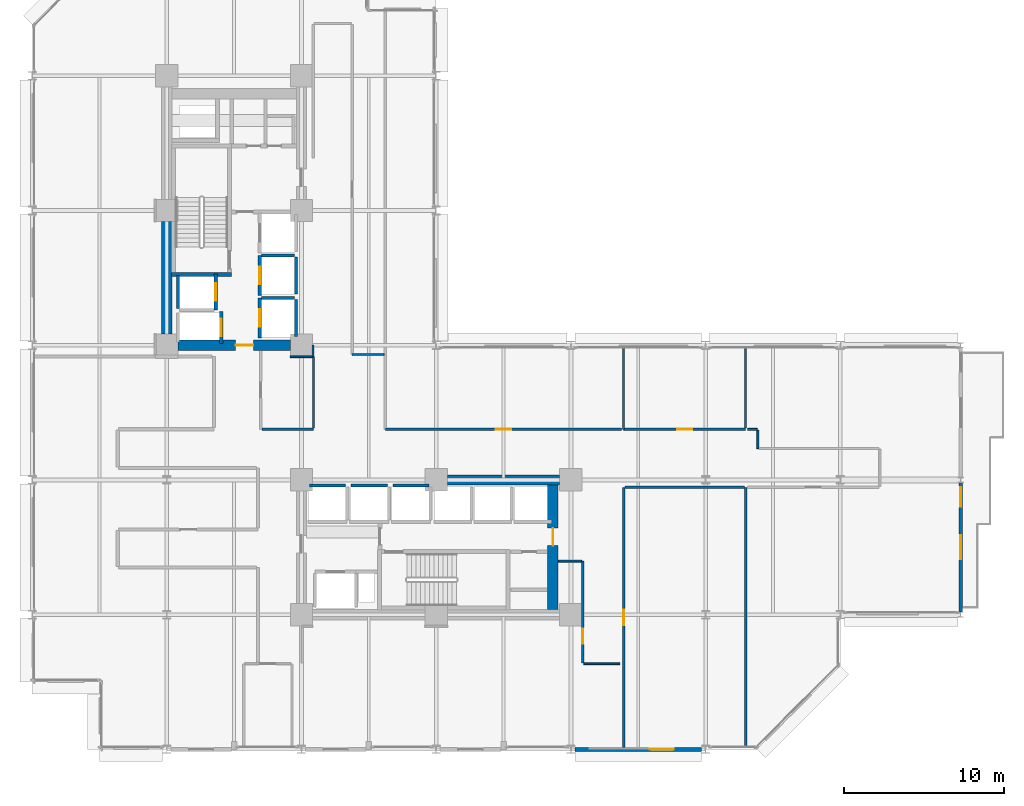
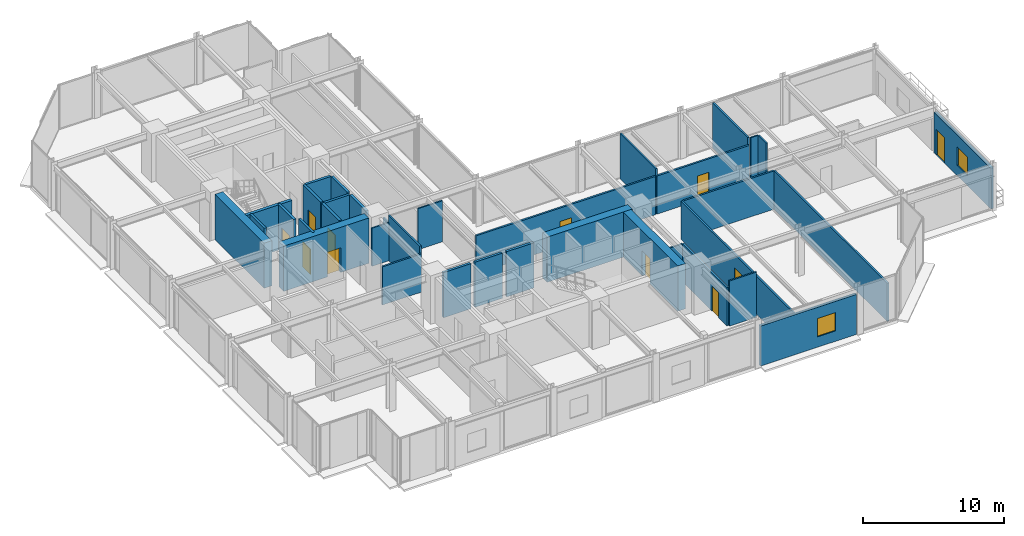
# One storey, part 23 of 27: 36 walls, 11 doors, 2 windows, 13 openings.
"""IFC4 building model written with IfcOpenShell, lengths in metres."""

from ifc_helpers import new_model, si_unit, direction, frame, frame_2d, origin, place, context, subcontext, project, spatial, rectangle, extrude, material, layer, layer_set, type_object, element, fill, save


model = new_model("IFC4")

# Units and contexts
model_context = context("Model", 3, precision=1e-05, world=origin(), true_north=direction((0.0, 1.0)))
body_context = subcontext(model_context, "Body", "Model", "MODEL_VIEW")
ifc_project = project(units=[si_unit("LENGTHUNIT", "METRE"), si_unit("AREAUNIT", "SQUARE_METRE"), si_unit("VOLUMEUNIT", "CUBIC_METRE"), si_unit("PLANEANGLEUNIT", "RADIAN"), si_unit("MASSUNIT", "GRAM", prefix="KILO")], contexts=[model_context])

# Site, building, storey
site_placement = place(None, origin())
site = spatial("IfcSite", under=ifc_project, at=site_placement, CompositionType="ELEMENT")
building_placement = place(site_placement, origin())
building = spatial("IfcBuilding", under=site, at=building_placement, Name="Nerrivon Quay Data Exchange", CompositionType="ELEMENT")
storey_placement = place(building_placement, frame((0.0, 0.0, 66.800048828125)))
storey = spatial("IfcBuildingStorey", under=building, at=storey_placement, Name="L15", CompositionType="ELEMENT", Elevation=66.800048828125)

# Wall, openings, door, window
ifc_material_1 = material(Name="Architectural terracotta precast concrete N50 (50 MPa)", Category="masonry")
ifc_layer_1 = layer(ifc_material_1, 0.239990234375)
ifc_layer_set_1 = layer_set([ifc_layer_1], Name="Architectural terracotta precast concrete N50 (50 MPa)")
wall_type_1 = type_object("IfcWallType", Name="EW-PREC-240", PredefinedType="STANDARD", material=ifc_layer_set_1)
wall_1_placement = place(storey_placement, frame((57.89990234375, 16.636474609375, 0.0), z_axis=(0.0, 0.0, 1.0), x_axis=(0.0, -1.0, 0.0)))
wall_1 = element("IfcWall", 1, at=wall_1_placement, inside=storey, type_object=wall_type_1, Name="L15 Terrace Host Wall 2", PredefinedType="STANDARD", context=body_context, shape_type="SweptSolid", body=[
    extrude(rectangle(XDim=8.072998046875, YDim=0.239990234375, at=frame_2d((4.03662109375, 0.0))), origin(), (0.0, 0.0, 1.0), 3.52197265625),
])
opening_1_placement = place(wall_1_placement, frame((0.300048828125, 0.0, 0.0)))
opening_1 = element("IfcOpeningElement", 2, at=opening_1_placement, cuts=wall_1, Name="Opening TD1", PredefinedType="OPENING", context=body_context, shape_type="SweptSolid", body=[
    extrude(rectangle(XDim=1.199951171875, YDim=2.199951171875, at=frame_2d((0.60009765625, 1.10009765625))), frame((0.0, 0.1298828125, 0.0), z_axis=(0.0, -1.0, 0.0), x_axis=(1.0, 0.0, 0.0)), (0.0, 0.0, 1.0), 0.260009765625),
])
opening_2_placement = place(wall_1_placement, frame((3.28662109375, 0.0, 0.89990234375)))
opening_2 = element("IfcOpeningElement", 3, at=opening_2_placement, cuts=wall_1, Name="Opening WN4", PredefinedType="OPENING", context=body_context, shape_type="SweptSolid", body=[
    extrude(rectangle(XDim=1.5, YDim=1.60009765625, at=frame_2d((0.75, 0.800048828125))), frame((0.0, 0.1298828125, 0.0), z_axis=(0.0, -1.0, 0.0), x_axis=(1.0, 0.0, 0.0)), (0.0, 0.0, 1.0), 0.260009765625),
])
ifc_material_2 = material(Name="Double-glazed low-E solar control glass", Category="glass")
door_type_1 = type_object("IfcDoorType", Name="DR-TERR-1200x2200", OperationType="NOTDEFINED", PredefinedType="DOOR", material=ifc_material_2)
door_1_placement = place(opening_1_placement, origin())
door_1 = element("IfcDoor", 4, at=door_1_placement, inside=storey, type_object=door_type_1, Name="L15 Outdoor Terrace Access Door 2", OperationType="SINGLE_SWING_LEFT", OverallHeight=2.199951171875, OverallWidth=1.199951171875, PredefinedType="DOOR", context=body_context, shape_type="SweptSolid", body=[
    extrude(rectangle(XDim=1.199951171875, YDim=2.199951171875, at=frame_2d((0.60009765625, 1.10009765625))), frame((0.0, 0.02490234375, 0.0), z_axis=(0.0, -1.0, 0.0), x_axis=(1.0, 0.0, 0.0)), (0.0, 0.0, 1.0), 0.050048828125),
])
fill(opening_1, door_1)
window_type = type_object("IfcWindowType", Name="WIN-W4-1500x1600", PartitioningType="SINGLE_PANEL", PredefinedType="WINDOW", material=ifc_material_2)
window_1_placement = place(opening_2_placement, origin())
window_1 = element("IfcWindow", 5, at=window_1_placement, inside=storey, type_object=window_type, Name="L15 Terrace Side Window 2", OverallHeight=1.60009765625, OverallWidth=1.5, PartitioningType="SINGLE_PANEL", PredefinedType="WINDOW", context=body_context, shape_type="SweptSolid", body=[
    extrude(rectangle(XDim=1.5, YDim=1.60009765625, at=frame_2d((0.75, 0.800048828125))), frame((0.0, 0.030029296875, 0.0), z_axis=(0.0, -1.0, 0.0), x_axis=(1.0, 0.0, 0.0)), (0.0, 0.0, 1.0), 0.06005859375),
])
fill(opening_2, window_1)

# Wall, opening, window
wall_2_placement = place(storey_placement, frame((41.75, 0.0, 0.0), z_axis=(0.0, 0.0, 1.0), x_axis=(-1.0, 0.0, 0.0)))
wall_2 = element("IfcWall", 6, at=wall_2_placement, inside=storey, type_object=wall_type_1, Name="L15 Podium Precast Spandrel Wall 7", PredefinedType="STANDARD", context=body_context, shape_type="SweptSolid", body=[
    extrude(rectangle(XDim=7.89990234375, YDim=0.239990234375, at=frame_2d((3.949951171875, 0.0))), origin(), (0.0, 0.0, 1.0), 3.470947265625),
])
opening_3_placement = place(wall_2_placement, frame((1.726806640625, 0.0, 0.89990234375)))
opening_3 = element("IfcOpeningElement", 7, at=opening_3_placement, cuts=wall_2, Name="Opening WN4", PredefinedType="OPENING", context=body_context, shape_type="SweptSolid", body=[
    extrude(rectangle(XDim=1.5, YDim=1.60009765625, at=frame_2d((0.75, 0.800048828125))), frame((0.0, 0.1298828125, 0.0), z_axis=(0.0, -1.0, 0.0), x_axis=(1.0, 0.0, 0.0)), (0.0, 0.0, 1.0), 0.260009765625),
])
window_2_placement = place(opening_3_placement, origin())
window_2 = element("IfcWindow", 8, at=window_2_placement, inside=storey, type_object=window_type, Name="L15 Solar Facade Window 7", OverallHeight=1.60009765625, OverallWidth=1.5, PartitioningType="SINGLE_PANEL", PredefinedType="WINDOW", context=body_context, shape_type="SweptSolid", body=[
    extrude(rectangle(XDim=1.5, YDim=1.60009765625, at=frame_2d((0.75, 0.800048828125))), frame((0.0, 0.030029296875, 0.0), z_axis=(0.0, -1.0, 0.0), x_axis=(1.0, 0.0, 0.0)), (0.0, 0.0, 1.0), 0.06005859375),
])
fill(opening_3, window_2)

# Wall
ifc_material_3 = material(Name="Concrete N80 (80 MPa)", Category="concrete")
ifc_layer_2 = layer(ifc_material_3, 0.64990234375)
ifc_layer_set_2 = layer_set([ifc_layer_2], Name="Concrete N80 (80 MPa)")
wall_type_2 = type_object("IfcWallType", Name="WALL-CW-850", PredefinedType="SHEAR", material=ifc_layer_set_2)
wall_3_placement = place(storey_placement, frame((8.39990234375, 25.89990234375, 0.0), z_axis=(0.0, 0.0, 1.0), x_axis=(0.0, 1.0, 0.0)))
element("IfcWall", 9, at=wall_3_placement, inside=storey, type_object=wall_type_2, Name="L15 West Split-Core Shear Wall WCW-W1", PredefinedType="SHEAR", context=body_context, shape_type="SweptSolid", body=[
    extrude(rectangle(XDim=7.0, YDim=0.64990234375, at=frame_2d((3.5, 0.0))), origin(), (0.0, 0.0, 1.0), 3.925048828125),
])

# Wall, opening, door
wall_4_placement = place(storey_placement, frame((9.10009765625, 25.199951171875, 0.0), z_axis=(0.0, 0.0, 1.0), x_axis=(1.0, 0.0, 0.0)))
wall_4 = element("IfcWall", 10, at=wall_4_placement, inside=storey, type_object=wall_type_2, Name="L15 West Split-Core Shear Wall WCW-S1", PredefinedType="SHEAR", context=body_context, shape_type="SweptSolid", body=[
    extrude(rectangle(XDim=7.0, YDim=0.64990234375, at=frame_2d((3.5, 0.0))), origin(), (0.0, 0.0, 1.0), 3.925048828125),
])
opening_4_placement = place(wall_4_placement, frame((3.60009765625, 0.0, 0.0)))
opening_4 = element("IfcOpeningElement", 11, at=opening_4_placement, cuts=wall_4, Name="Opening FD-120", PredefinedType="OPENING", context=body_context, shape_type="SweptSolid", body=[
    extrude(rectangle(XDim=1.10009765625, YDim=2.14990234375, at=frame_2d((0.550048828125, 1.074951171875))), frame((0.0, 0.3349609375, 0.0), z_axis=(0.0, -1.0, 0.0), x_axis=(1.0, 0.0, 0.0)), (0.0, 0.0, 1.0), 0.669921875),
])
ifc_material_4 = material(Name="Powder-coated galvanized steel sheet", Category="steel")
door_type_2 = type_object("IfcDoorType", Name="DR-FD120-1100", OperationType="NOTDEFINED", PredefinedType="DOOR", material=ifc_material_4)
door_2_placement = place(opening_4_placement, origin())
door_2 = element("IfcDoor", 12, at=door_2_placement, inside=storey, type_object=door_type_2, Name="L15 West Core Lobby Fire Door", OperationType="SINGLE_SWING_LEFT", OverallHeight=2.14990234375, OverallWidth=1.10009765625, PredefinedType="DOOR", context=body_context, shape_type="SweptSolid", body=[
    extrude(rectangle(XDim=1.10009765625, YDim=2.14990234375, at=frame_2d((0.550048828125, 1.074951171875))), frame((0.0, 0.02490234375, 0.0), z_axis=(0.0, -1.0, 0.0), x_axis=(1.0, 0.0, 0.0)), (0.0, 0.0, 1.0), 0.050048828125),
])
fill(opening_4, door_2)

wall_5_placement = place(storey_placement, frame((32.47509765625, 8.72509765625, 0.0), z_axis=(0.0, 0.0, 1.0), x_axis=(0.0, 1.0, 0.0)))
wall_5 = element("IfcWall", 13, at=wall_5_placement, inside=storey, type_object=wall_type_2, Name="L15 East Split-Core Shear Wall ECW-E1", PredefinedType="SHEAR", context=body_context, shape_type="SweptSolid", body=[
    extrude(rectangle(XDim=7.75, YDim=0.64990234375, at=frame_2d((3.875, 0.0))), origin(), (0.0, 0.0, 1.0), 3.925048828125),
])
opening_5_placement = place(wall_5_placement, frame((3.97509765625, 0.0, 0.0)))
opening_5 = element("IfcOpeningElement", 14, at=opening_5_placement, cuts=wall_5, Name="Opening FD-120", PredefinedType="OPENING", context=body_context, shape_type="SweptSolid", body=[
    extrude(rectangle(XDim=1.10009765625, YDim=2.14990234375, at=frame_2d((0.550048828125, 1.074951171875))), frame((0.0, 0.3349609375, 0.0), z_axis=(0.0, -1.0, 0.0), x_axis=(1.0, 0.0, 0.0)), (0.0, 0.0, 1.0), 0.669921875),
])
door_3_placement = place(opening_5_placement, origin())
door_3 = element("IfcDoor", 15, at=door_3_placement, inside=storey, type_object=door_type_2, Name="L15 East Core Lobby Fire Door", OperationType="SINGLE_SWING_RIGHT", OverallHeight=2.14990234375, OverallWidth=1.10009765625, PredefinedType="DOOR", context=body_context, shape_type="SweptSolid", body=[
    extrude(rectangle(XDim=1.10009765625, YDim=2.14990234375, at=frame_2d((0.550048828125, 1.074951171875))), frame((0.0, 0.02490234375, 0.0), z_axis=(0.0, -1.0, 0.0), x_axis=(1.0, 0.0, 0.0)), (0.0, 0.0, 1.0), 0.050048828125),
])
fill(opening_5, door_3)

# Wall
wall_6_placement = place(storey_placement, frame((25.89990234375, 16.800048828125, 0.0), z_axis=(0.0, 0.0, 1.0), x_axis=(1.0, 0.0, 0.0)))
element("IfcWall", 16, at=wall_6_placement, inside=storey, type_object=wall_type_2, Name="L15 East Split-Core Shear Wall ECW-N1", PredefinedType="SHEAR", context=body_context, shape_type="SweptSolid", body=[
    extrude(rectangle(XDim=7.0, YDim=0.64990234375, at=frame_2d((3.5, 0.0))), origin(), (0.0, 0.0, 1.0), 3.925048828125),
])

# Wall, opening, door
ifc_material_5 = material(Name="Gypsum plasterboard on cold-formed framing", Category="gypsum")
ifc_layer_3 = layer(ifc_material_5, 0.199951171875)
ifc_layer_set_3 = layer_set([ifc_layer_3], Name="Gypsum plasterboard on cold-formed framing")
wall_type_3 = type_object("IfcWallType", Name="WALL-FW-200", PredefinedType="PARTITIONING", material=ifc_layer_set_3)
wall_7_placement = place(storey_placement, frame((11.449951171875, 27.39990234375, 0.0), z_axis=(0.0, 0.0, 1.0), x_axis=(0.0, 1.0, 0.0)))
wall_7 = element("IfcWall", 17, at=wall_7_placement, inside=storey, type_object=wall_type_3, Name="L15 Lift Front Wall FFL-1", PredefinedType="PARTITIONING", context=body_context, shape_type="SweptSolid", body=[
    extrude(rectangle(XDim=2.25, YDim=0.199951171875, at=frame_2d((1.125, 0.0))), origin(), (0.0, 0.0, 1.0), 3.925048828125),
])
opening_6_placement = place(wall_7_placement, frame((0.574951171875, 0.0, 0.0)))
opening_6 = element("IfcOpeningElement", 18, at=opening_6_placement, cuts=wall_7, Name="Opening LD-120", PredefinedType="OPENING", context=body_context, shape_type="SweptSolid", body=[
    extrude(rectangle(XDim=1.10009765625, YDim=2.199951171875, at=frame_2d((0.550048828125, 1.10009765625))), frame((0.0, 0.10986328125, 0.0), z_axis=(0.0, -1.0, 0.0), x_axis=(1.0, 0.0, 0.0)), (0.0, 0.0, 1.0), 0.219970703125),
])
door_type_3 = type_object("IfcDoorType", Name="DR-LIFT-LD120", OperationType="DOUBLE_DOOR_SLIDING", PredefinedType="DOOR", material=ifc_material_4)
door_4_placement = place(opening_6_placement, origin())
door_4 = element("IfcDoor", 19, at=door_4_placement, inside=storey, type_object=door_type_3, Name="L15 Lift Landing Sliding Door FFL-1", OperationType="DOUBLE_DOOR_SLIDING", OverallHeight=2.199951171875, OverallWidth=1.10009765625, PredefinedType="DOOR", context=body_context, shape_type="SweptSolid", body=[
    extrude(rectangle(XDim=1.10009765625, YDim=2.199951171875, at=frame_2d((0.550048828125, 1.10009765625))), frame((0.0, 0.02490234375, 0.0), z_axis=(0.0, -1.0, 0.0), x_axis=(1.0, 0.0, 0.0)), (0.0, 0.0, 1.0), 0.050048828125),
])
fill(opening_6, door_4)

# Wall
wall_8_placement = place(storey_placement, frame((9.10009765625, 27.5, 0.0), z_axis=(0.0, 0.0, 1.0), x_axis=(0.0, 1.0, 0.0)))
element("IfcWall", 20, at=wall_8_placement, inside=storey, type_object=wall_type_3, Name="L15 Lift Shaft Wall FFL-1 WEST", PredefinedType="PARTITIONING", context=body_context, shape_type="SweptSolid", body=[
    extrude(rectangle(XDim=2.050048828125, YDim=0.199951171875, at=frame_2d((1.02490234375, 0.0))), origin(), (0.0, 0.0, 1.0), 3.925048828125),
])

# Wall, opening, door
wall_9_placement = place(storey_placement, frame((11.800048828125, 25.300048828125, 0.0), z_axis=(0.0, 0.0, 1.0), x_axis=(0.0, 1.0, 0.0)))
wall_9 = element("IfcWall", 21, at=wall_9_placement, inside=storey, type_object=wall_type_3, Name="L15 Lift Front Wall SVL-1", PredefinedType="PARTITIONING", context=body_context, shape_type="SweptSolid", body=[
    extrude(rectangle(XDim=2.0, YDim=0.199951171875, at=frame_2d((1.0, 0.0))), origin(), (0.0, 0.0, 1.0), 3.925048828125),
])
opening_7_placement = place(wall_9_placement, frame((0.449951171875, 0.0, 0.0)))
opening_7 = element("IfcOpeningElement", 22, at=opening_7_placement, cuts=wall_9, Name="Opening LD-120", PredefinedType="OPENING", context=body_context, shape_type="SweptSolid", body=[
    extrude(rectangle(XDim=1.10009765625, YDim=2.199951171875, at=frame_2d((0.550048828125, 1.10009765625))), frame((0.0, 0.10986328125, 0.0), z_axis=(0.0, -1.0, 0.0), x_axis=(1.0, 0.0, 0.0)), (0.0, 0.0, 1.0), 0.219970703125),
])
door_5_placement = place(opening_7_placement, origin())
door_5 = element("IfcDoor", 23, at=door_5_placement, inside=storey, type_object=door_type_3, Name="L15 Lift Landing Sliding Door SVL-1", OperationType="DOUBLE_DOOR_SLIDING", OverallHeight=2.199951171875, OverallWidth=1.10009765625, PredefinedType="DOOR", context=body_context, shape_type="SweptSolid", body=[
    extrude(rectangle(XDim=1.10009765625, YDim=2.199951171875, at=frame_2d((0.550048828125, 1.10009765625))), frame((0.0, 0.02490234375, 0.0), z_axis=(0.0, -1.0, 0.0), x_axis=(1.0, 0.0, 0.0)), (0.0, 0.0, 1.0), 0.050048828125),
])
fill(opening_7, door_5)

wall_10_placement = place(storey_placement, frame((14.199951171875, 25.64990234375, 0.0), z_axis=(0.0, 0.0, 1.0), x_axis=(0.0, 1.0, 0.0)))
wall_10 = element("IfcWall", 24, at=wall_10_placement, inside=storey, type_object=wall_type_3, Name="L15 Lift Front Wall PL1", PredefinedType="PARTITIONING", context=body_context, shape_type="SweptSolid", body=[
    extrude(rectangle(XDim=2.5, YDim=0.199951171875, at=frame_2d((1.25, 0.0))), origin(), (0.0, 0.0, 1.0), 3.925048828125),
])
opening_8_placement = place(wall_10_placement, frame((0.699951171875, 0.0, 0.0)))
opening_8 = element("IfcOpeningElement", 25, at=opening_8_placement, cuts=wall_10, Name="Opening LD-120", PredefinedType="OPENING", context=body_context, shape_type="SweptSolid", body=[
    extrude(rectangle(XDim=1.10009765625, YDim=2.199951171875, at=frame_2d((0.550048828125, 1.10009765625))), frame((0.0, 0.10986328125, 0.0), z_axis=(0.0, -1.0, 0.0), x_axis=(1.0, 0.0, 0.0)), (0.0, 0.0, 1.0), 0.219970703125),
])
door_6_placement = place(opening_8_placement, origin())
door_6 = element("IfcDoor", 26, at=door_6_placement, inside=storey, type_object=door_type_3, Name="L15 Lift Landing Sliding Door PL1", OperationType="DOUBLE_DOOR_SLIDING", OverallHeight=2.199951171875, OverallWidth=1.10009765625, PredefinedType="DOOR", context=body_context, shape_type="SweptSolid", body=[
    extrude(rectangle(XDim=1.10009765625, YDim=2.199951171875, at=frame_2d((0.550048828125, 1.10009765625))), frame((0.0, 0.02490234375, 0.0), z_axis=(0.0, -1.0, 0.0), x_axis=(1.0, 0.0, 0.0)), (0.0, 0.0, 1.0), 0.050048828125),
])
fill(opening_8, door_6)

# Walls
wall_11_placement = place(storey_placement, frame((16.449951171875, 25.75, 0.0), z_axis=(0.0, 0.0, 1.0), x_axis=(0.0, 1.0, 0.0)))
element("IfcWall", 27, at=wall_11_placement, inside=storey, type_object=wall_type_3, Name="L15 Lift Shaft Wall PL1 EAST", PredefinedType="PARTITIONING", context=body_context, shape_type="SweptSolid", body=[
    extrude(rectangle(XDim=2.300048828125, YDim=0.199951171875, at=frame_2d((1.14990234375, 0.0))), origin(), (0.0, 0.0, 1.0), 3.925048828125),
])
wall_12_placement = place(storey_placement, frame((14.300048828125, 28.14990234375, 0.0), z_axis=(0.0, 0.0, 1.0), x_axis=(1.0, 0.0, 0.0)))
element("IfcWall", 28, at=wall_12_placement, inside=storey, type_object=wall_type_3, Name="L15 Lift Shaft Wall PL1 NORTH", PredefinedType="PARTITIONING", context=body_context, shape_type="SweptSolid", body=[
    extrude(rectangle(XDim=2.050048828125, YDim=0.199951171875, at=frame_2d((1.02490234375, 0.0))), origin(), (0.0, 0.0, 1.0), 3.925048828125),
])

# Wall, opening, door
wall_13_placement = place(storey_placement, frame((14.199951171875, 28.300048828125, 0.0), z_axis=(0.0, 0.0, 1.0), x_axis=(0.0, 1.0, 0.0)))
wall_13 = element("IfcWall", 29, at=wall_13_placement, inside=storey, type_object=wall_type_3, Name="L15 Lift Front Wall PL2", PredefinedType="PARTITIONING", context=body_context, shape_type="SweptSolid", body=[
    extrude(rectangle(XDim=2.5, YDim=0.199951171875, at=frame_2d((1.25, 0.0))), origin(), (0.0, 0.0, 1.0), 3.925048828125),
])
opening_9_placement = place(wall_13_placement, frame((0.699951171875, 0.0, 0.0)))
opening_9 = element("IfcOpeningElement", 30, at=opening_9_placement, cuts=wall_13, Name="Opening LD-120", PredefinedType="OPENING", context=body_context, shape_type="SweptSolid", body=[
    extrude(rectangle(XDim=1.10009765625, YDim=2.199951171875, at=frame_2d((0.550048828125, 1.10009765625))), frame((0.0, 0.10986328125, 0.0), z_axis=(0.0, -1.0, 0.0), x_axis=(1.0, 0.0, 0.0)), (0.0, 0.0, 1.0), 0.219970703125),
])
door_7_placement = place(opening_9_placement, origin())
door_7 = element("IfcDoor", 31, at=door_7_placement, inside=storey, type_object=door_type_3, Name="L15 Lift Landing Sliding Door PL2", OperationType="DOUBLE_DOOR_SLIDING", OverallHeight=2.199951171875, OverallWidth=1.10009765625, PredefinedType="DOOR", context=body_context, shape_type="SweptSolid", body=[
    extrude(rectangle(XDim=1.10009765625, YDim=2.199951171875, at=frame_2d((0.550048828125, 1.10009765625))), frame((0.0, 0.02490234375, 0.0), z_axis=(0.0, -1.0, 0.0), x_axis=(1.0, 0.0, 0.0)), (0.0, 0.0, 1.0), 0.050048828125),
])
fill(opening_9, door_7)

# Walls
wall_14_placement = place(storey_placement, frame((16.449951171875, 28.39990234375, 0.0), z_axis=(0.0, 0.0, 1.0), x_axis=(0.0, 1.0, 0.0)))
element("IfcWall", 32, at=wall_14_placement, inside=storey, type_object=wall_type_3, Name="L15 Lift Shaft Wall PL2 EAST", PredefinedType="PARTITIONING", context=body_context, shape_type="SweptSolid", body=[
    extrude(rectangle(XDim=2.300048828125, YDim=0.199951171875, at=frame_2d((1.14990234375, 0.0))), origin(), (0.0, 0.0, 1.0), 3.925048828125),
])
wall_15_placement = place(storey_placement, frame((14.300048828125, 30.800048828125, 0.0), z_axis=(0.0, 0.0, 1.0), x_axis=(1.0, 0.0, 0.0)))
element("IfcWall", 33, at=wall_15_placement, inside=storey, type_object=wall_type_3, Name="L15 Lift Shaft Wall PL2 NORTH", PredefinedType="PARTITIONING", context=body_context, shape_type="SweptSolid", body=[
    extrude(rectangle(XDim=2.050048828125, YDim=0.199951171875, at=frame_2d((1.02490234375, 0.0))), origin(), (0.0, 0.0, 1.0), 3.925048828125),
])
for number, where, z_axis, x_axis, name in (
    (34, (17.300048828125, 16.449951171875, 0.0), (0.0, 0.0, 1.0), (1.0, 0.0, 0.0), "L15 Lift Shaft Wall PL4 NORTH"),
    (35, (19.89990234375, 16.449951171875, 0.0), (0.0, 0.0, 1.0), (1.0, 0.0, 0.0), "L15 Lift Shaft Wall PL5 NORTH"),
    (36, (22.5, 16.449951171875, 0.0), (0.0, 0.0, 1.0), (1.0, 0.0, 0.0), "L15 Lift Shaft Wall PL6 NORTH"),
):
    element("IfcWall", number, at=place(storey_placement, frame(where, z_axis=z_axis, x_axis=x_axis)), inside=storey, type_object=wall_type_3, Name=name, PredefinedType="PARTITIONING", context=body_context, shape_type="SweptSolid", body=[
        extrude(rectangle(XDim=2.25, YDim=0.199951171875, at=frame_2d((1.125, 0.0))), origin(), (0.0, 0.0, 1.0), 3.925048828125),
    ])
ifc_layer_4 = layer(ifc_material_5, 0.1201171875)
ifc_layer_set_4 = layer_set([ifc_layer_4], Name="Gypsum plasterboard on cold-formed framing")
wall_type_4 = type_object("IfcWallType", Name="WALL-PT-120", PredefinedType="PARTITIONING", material=ifc_layer_set_4)
wall_16_placement = place(storey_placement, frame((17.52001953125, 25.199951171875, 0.0), z_axis=(0.0, 0.0, 1.0), x_axis=(0.0, -1.0, 0.0)))
element("IfcWall", 37, at=wall_16_placement, inside=storey, type_object=wall_type_4, Name="L15 Partition Public Washrooms", PredefinedType="PARTITIONING", context=body_context, shape_type="SweptSolid", body=[
    extrude(rectangle(XDim=0.699951171875, YDim=0.1201171875, at=frame_2d((0.35009765625, 0.0))), origin(), (0.0, 0.0, 1.0), 3.31298828125),
])
wall_17_placement = place(storey_placement, frame((17.501953125, 24.47998046875, 0.0), z_axis=(0.0, 0.0, 1.0), x_axis=(-0.999999759375, 0.000693721651, 0.0)))
element("IfcWall", 38, at=wall_17_placement, inside=storey, type_object=wall_type_4, Name="L15 Partition Public Washrooms", PredefinedType="PARTITIONING", context=body_context, shape_type="SweptSolid", body=[
    extrude(rectangle(XDim=1.40771484375, YDim=0.1201171875, at=frame_2d((0.703857421875, 0.0))), origin(), (0.0, 0.0, 1.0), 3.322998046875),
])
wall_18_placement = place(storey_placement, frame((36.64990234375, 5.340087890625, 0.0), z_axis=(0.0, 0.0, 1.0), x_axis=(-1.0, 0.0, 0.0)))
element("IfcWall", 39, at=wall_18_placement, inside=storey, type_object=wall_type_4, Name="L15 Partition Technical Library", PredefinedType="PARTITIONING", context=body_context, shape_type="SweptSolid", body=[
    extrude(rectangle(XDim=2.25, YDim=0.1201171875, at=frame_2d((1.125, 0.0))), origin(), (0.0, 0.0, 1.0), 3.925048828125),
])
wall_19_placement = place(storey_placement, frame((34.260986328125, 11.739990234375, 0.0), z_axis=(0.0, 0.0, 1.0), x_axis=(-1.0, 0.0, 0.0)))
element("IfcWall", 40, at=wall_19_placement, inside=storey, type_object=wall_type_4, Name="L15 Partition Technical Library", PredefinedType="PARTITIONING", context=body_context, shape_type="SweptSolid", body=[
    extrude(rectangle(XDim=1.45703125, YDim=0.1201171875, at=frame_2d((0.728515625, 0.0))), origin(), (0.0, 0.0, 1.0), 3.322998046875),
])
wall_20_placement = place(storey_placement, frame((44.61376953125, 19.959716796875, 0.0), z_axis=(0.0, 0.0, 1.0), x_axis=(1.0, 0.0, 0.0)))
element("IfcWall", 41, at=wall_20_placement, inside=storey, type_object=wall_type_4, Name="L15 Partition Cloud Compute Workspace 1", PredefinedType="PARTITIONING", context=body_context, shape_type="SweptSolid", body=[
    extrude(rectangle(XDim=0.592041015625, YDim=0.1201171875, at=frame_2d((0.2958984375, 0.0))), origin(), (0.0, 0.0, 1.0), 3.925048828125),
])
wall_21_placement = place(storey_placement, frame((45.260009765625, 19.89990234375, 0.0), z_axis=(0.0, 0.0, 1.0), x_axis=(0.0, -1.0, 0.0)))
element("IfcWall", 42, at=wall_21_placement, inside=storey, type_object=wall_type_4, Name="L15 Partition Cloud Compute Workspace 1", PredefinedType="PARTITIONING", context=body_context, shape_type="SweptSolid", body=[
    extrude(rectangle(XDim=1.139892578125, YDim=0.1201171875, at=frame_2d((0.56982421875, 0.0))), origin(), (0.0, 0.0, 1.0), 3.925048828125),
])
wall_22_placement = place(storey_placement, frame((19.9599609375, 24.623779296875, 0.0), z_axis=(0.0, 0.0, 1.0), x_axis=(1.0, 0.0, 0.0)))
element("IfcWall", 43, at=wall_22_placement, inside=storey, type_object=wall_type_4, Name="L15 Partition Optical Engineering Studios Workspace", PredefinedType="PARTITIONING", context=body_context, shape_type="SweptSolid", body=[
    extrude(rectangle(XDim=1.987060546875, YDim=0.1201171875, at=frame_2d((0.99365234375, 0.0))), origin(), (0.0, 0.0, 1.0), 3.56591796875),
])
ifc_layer_5 = layer(ifc_material_5, 0.135009765625)
ifc_layer_set_5 = layer_set([ifc_layer_5], Name="Gypsum plasterboard on cold-formed framing")
wall_type_5 = type_object("IfcWallType", Name="WALL-PT-135", PredefinedType="PARTITIONING", material=ifc_layer_set_5)
wall_23_placement = place(storey_placement, frame((14.33154296875, 19.9599609375, 0.0), z_axis=(0.0, 0.0, 1.0), x_axis=(1.0, 0.0, 0.0)))
element("IfcWall", 44, at=wall_23_placement, inside=storey, type_object=wall_type_5, Name="L15 Partition Public Washrooms", PredefinedType="PARTITIONING", context=body_context, shape_type="SweptSolid", body=[
    extrude(rectangle(XDim=3.20849609375, YDim=0.135009765625, at=frame_2d((1.604248046875, 0.0))), origin(), (0.0, 0.0, 1.0), 3.322998046875),
])
wall_24_placement = place(storey_placement, frame((17.5400390625, 20.031494140625, 0.0), z_axis=(0.0, 0.0, 1.0), x_axis=(0.0, 1.0, 0.0)))
element("IfcWall", 45, at=wall_24_placement, inside=storey, type_object=wall_type_5, Name="L15 Partition Public Washrooms", PredefinedType="PARTITIONING", context=body_context, shape_type="SweptSolid", body=[
    extrude(rectangle(XDim=4.468505859375, YDim=0.135009765625, at=frame_2d((2.234375, 0.0))), origin(), (0.0, 0.0, 1.0), 3.925048828125),
])
wall_25_placement = place(storey_placement, frame((36.88623046875, 25.031005859375, 0.0), z_axis=(0.0, 0.0, 1.0), x_axis=(0.0, -1.0, 0.0)))
element("IfcWall", 46, at=wall_25_placement, inside=storey, type_object=wall_type_5, Name="L15 Partition Staff Pantry", PredefinedType="PARTITIONING", context=body_context, shape_type="SweptSolid", body=[
    extrude(rectangle(XDim=5.0712890625, YDim=0.135009765625, at=frame_2d((2.53564453125, 0.0))), origin(), (0.0, 0.0, 1.0), 3.925048828125),
])
wall_26_placement = place(storey_placement, frame((44.49365234375, 20.038818359375, 0.0), z_axis=(0.0, 0.0, 1.0), x_axis=(0.0, 1.0, 0.0)))
element("IfcWall", 47, at=wall_26_placement, inside=storey, type_object=wall_type_5, Name="L15 Partition Staff Pantry", PredefinedType="PARTITIONING", context=body_context, shape_type="SweptSolid", body=[
    extrude(rectangle(XDim=4.9921875, YDim=0.135009765625, at=frame_2d((2.49609375, 0.0))), origin(), (0.0, 0.0, 1.0), 3.925048828125),
])

# Wall, opening, door
ifc_layer_6 = layer(ifc_material_5, 0.14990234375)
ifc_layer_set_6 = layer_set([ifc_layer_6], Name="Gypsum plasterboard on cold-formed framing")
wall_type_6 = type_object("IfcWallType", Name="WALL-PT-150", PredefinedType="PARTITIONING", material=ifc_layer_set_6)
wall_27_placement = place(storey_placement, frame((36.88623046875, 19.959716796875, 0.0), z_axis=(0.0, 0.0, 1.0), x_axis=(1.0, 0.0, 0.0)))
wall_27 = element("IfcWall", 48, at=wall_27_placement, inside=storey, type_object=wall_type_6, Name="L15 Partition Staff Pantry", PredefinedType="PARTITIONING", context=body_context, shape_type="SweptSolid", body=[
    extrude(rectangle(XDim=7.607421875, YDim=0.14990234375, at=frame_2d((3.8037109375, 0.0))), origin(), (0.0, 0.0, 1.0), 3.322998046875),
])
opening_10_placement = place(wall_27_placement, frame((3.32861328125, 0.0, 0.0)))
opening_10 = element("IfcOpeningElement", 49, at=opening_10_placement, cuts=wall_27, Name="Opening D-01", PredefinedType="OPENING", context=body_context, shape_type="SweptSolid", body=[
    extrude(rectangle(XDim=0.949951171875, YDim=2.14990234375, at=frame_2d((0.47509765625, 1.074951171875))), frame((0.0, 0.0849609375, 0.0), z_axis=(0.0, -1.0, 0.0), x_axis=(1.0, 0.0, 0.0)), (0.0, 0.0, 1.0), 0.169921875),
])
ifc_material_6 = material(Name="Engineered hardwood timber", Category="wood")
door_type_4 = type_object("IfcDoorType", Name="DR-INT-950", OperationType="NOTDEFINED", PredefinedType="DOOR", material=ifc_material_6)
door_8_placement = place(opening_10_placement, origin())
door_8 = element("IfcDoor", 50, at=door_8_placement, inside=storey, type_object=door_type_4, Name="L15 Door Staff Pantry", OperationType="SINGLE_SWING_LEFT", OverallHeight=2.14990234375, OverallWidth=0.949951171875, PredefinedType="DOOR", context=body_context, shape_type="SweptSolid", body=[
    extrude(rectangle(XDim=0.949951171875, YDim=2.14990234375, at=frame_2d((0.47509765625, 1.074951171875))), frame((0.0, 0.02490234375, 0.0), z_axis=(0.0, -1.0, 0.0), x_axis=(1.0, 0.0, 0.0)), (0.0, 0.0, 1.0), 0.050048828125),
])
fill(opening_10, door_8)

wall_28_placement = place(storey_placement, frame((36.88623046875, 16.340087890625, 0.0), z_axis=(0.0, 0.0, 1.0), x_axis=(0.0, -1.0, 0.0)))
wall_28 = element("IfcWall", 51, at=wall_28_placement, inside=storey, type_object=wall_type_6, Name="L15 Partition Engineers Lounge", PredefinedType="PARTITIONING", context=body_context, shape_type="SweptSolid", body=[
    extrude(rectangle(XDim=16.216064453125, YDim=0.14990234375, at=frame_2d((8.10791015625, 0.0))), origin(), (0.0, 0.0, 1.0), 3.31298828125),
])
opening_11_placement = place(wall_28_placement, frame((7.633056640625, 0.0, 0.0)))
opening_11 = element("IfcOpeningElement", 52, at=opening_11_placement, cuts=wall_28, Name="Opening D-01", PredefinedType="OPENING", context=body_context, shape_type="SweptSolid", body=[
    extrude(rectangle(XDim=0.949951171875, YDim=2.14990234375, at=frame_2d((0.47509765625, 1.074951171875))), frame((0.0, 0.0849609375, 0.0), z_axis=(0.0, -1.0, 0.0), x_axis=(1.0, 0.0, 0.0)), (0.0, 0.0, 1.0), 0.169921875),
])
door_9_placement = place(opening_11_placement, origin())
door_9 = element("IfcDoor", 53, at=door_9_placement, inside=storey, type_object=door_type_4, Name="L15 Door Engineers Lounge", OperationType="SINGLE_SWING_RIGHT", OverallHeight=2.14990234375, OverallWidth=0.949951171875, PredefinedType="DOOR", context=body_context, shape_type="SweptSolid", body=[
    extrude(rectangle(XDim=0.949951171875, YDim=2.14990234375, at=frame_2d((0.47509765625, 1.074951171875))), frame((0.0, 0.02490234375, 0.0), z_axis=(0.0, -1.0, 0.0), x_axis=(1.0, 0.0, 0.0)), (0.0, 0.0, 1.0), 0.050048828125),
])
fill(opening_11, door_9)

# Walls
wall_29_placement = place(storey_placement, frame((44.49365234375, 0.1689453125, 0.0), z_axis=(0.0, 0.0, 1.0), x_axis=(0.0, 1.0, 0.0)))
element("IfcWall", 54, at=wall_29_placement, inside=storey, type_object=wall_type_6, Name="L15 Partition Engineers Lounge", PredefinedType="PARTITIONING", context=body_context, shape_type="SweptSolid", body=[
    extrude(rectangle(XDim=16.171142578125, YDim=0.14990234375, at=frame_2d((8.08544921875, 0.0))), origin(), (0.0, 0.0, 1.0), 3.31298828125),
])
wall_30_placement = place(storey_placement, frame((44.414794921875, 16.340087890625, 0.0), z_axis=(0.0, 0.0, 1.0), x_axis=(-1.0, 0.0, 0.0)))
element("IfcWall", 55, at=wall_30_placement, inside=storey, type_object=wall_type_6, Name="L15 Partition Engineers Lounge", PredefinedType="PARTITIONING", context=body_context, shape_type="SweptSolid", body=[
    extrude(rectangle(XDim=7.449462890625, YDim=0.14990234375, at=frame_2d((3.724609375, 0.0))), origin(), (0.0, 0.0, 1.0), 3.322998046875),
])

# Wall, opening, door
wall_31_placement = place(storey_placement, frame((22.02587890625, 19.9599609375, 0.0), z_axis=(0.0, 0.0, 1.0), x_axis=(0.999999999863, -1.6562598e-05, 0.0)))
wall_31 = element("IfcWall", 56, at=wall_31_placement, inside=storey, type_object=wall_type_6, Name="L15 Partition Peering Day Lounge", PredefinedType="PARTITIONING", context=body_context, shape_type="SweptSolid", body=[
    extrude(rectangle(XDim=14.740478515625, YDim=0.14990234375, at=frame_2d((7.3701171875, 0.0))), origin(), (0.0, 0.0, 1.0), 3.322998046875),
])
opening_12_placement = place(wall_31_placement, frame((6.895263671875, 0.0, 0.0)))
opening_12 = element("IfcOpeningElement", 57, at=opening_12_placement, cuts=wall_31, Name="Opening D-01", PredefinedType="OPENING", context=body_context, shape_type="SweptSolid", body=[
    extrude(rectangle(XDim=0.949951171875, YDim=2.14990234375, at=frame_2d((0.47509765625, 1.074951171875))), frame((0.0, 0.0849609375, 0.0), z_axis=(0.0, -1.0, 0.0), x_axis=(1.0, 0.0, 0.0)), (0.0, 0.0, 1.0), 0.169921875),
])
door_10_placement = place(opening_12_placement, origin())
door_10 = element("IfcDoor", 58, at=door_10_placement, inside=storey, type_object=door_type_4, Name="L15 Door Peering Day Lounge", OperationType="SINGLE_SWING_LEFT", OverallHeight=2.14990234375, OverallWidth=0.949951171875, PredefinedType="DOOR", context=body_context, shape_type="SweptSolid", body=[
    extrude(rectangle(XDim=0.949951171875, YDim=2.14990234375, at=frame_2d((0.47509765625, 1.074951171875))), frame((0.0, 0.02490234375, 0.0), z_axis=(0.0, -1.0, 0.0), x_axis=(1.0, 0.0, 0.0)), (0.0, 0.0, 1.0), 0.050048828125),
])
fill(opening_12, door_10)

wall_32_placement = place(storey_placement, frame((34.340087890625, 5.39990234375, 0.0), z_axis=(0.0, 0.0, 1.0), x_axis=(0.0, 1.0, 0.0)))
wall_32 = element("IfcWall", 59, at=wall_32_placement, inside=storey, type_object=wall_type_6, Name="L15 Partition Technical Library", PredefinedType="PARTITIONING", context=body_context, shape_type="SweptSolid", body=[
    extrude(rectangle(XDim=6.340087890625, YDim=0.14990234375, at=frame_2d((3.169921875, 0.0))), origin(), (0.0, 0.0, 1.0), 3.31298828125),
])
opening_13_placement = place(wall_32_placement, frame((1.17333984375, 0.0, 0.0)))
opening_13 = element("IfcOpeningElement", 60, at=opening_13_placement, cuts=wall_32, Name="Opening D-01", PredefinedType="OPENING", context=body_context, shape_type="SweptSolid", body=[
    extrude(rectangle(XDim=0.949951171875, YDim=2.14990234375, at=frame_2d((0.47509765625, 1.074951171875))), frame((0.0, 0.0849609375, 0.0), z_axis=(0.0, -1.0, 0.0), x_axis=(1.0, 0.0, 0.0)), (0.0, 0.0, 1.0), 0.169921875),
])
door_11_placement = place(opening_13_placement, origin())
door_11 = element("IfcDoor", 61, at=door_11_placement, inside=storey, type_object=door_type_4, Name="L15 Door Technical Library", OperationType="SINGLE_SWING_RIGHT", OverallHeight=2.14990234375, OverallWidth=0.949951171875, PredefinedType="DOOR", context=body_context, shape_type="SweptSolid", body=[
    extrude(rectangle(XDim=0.949951171875, YDim=2.14990234375, at=frame_2d((0.47509765625, 1.074951171875))), frame((0.0, 0.02490234375, 0.0), z_axis=(0.0, -1.0, 0.0), x_axis=(1.0, 0.0, 0.0)), (0.0, 0.0, 1.0), 0.050048828125),
])
fill(opening_13, door_11)

# Wall
ifc_material_7 = material(Name="Concrete N50 (50 MPa)", Category="concrete")
ifc_layer_7 = layer(ifc_material_7, 0.25)
ifc_layer_set_7 = layer_set([ifc_layer_7], Name="Concrete N50 (50 MPa)")
wall_type_7 = type_object("IfcWallType", Name="WALL-SW-250", PredefinedType="SHEAR", material=ifc_layer_set_7)
wall_33_placement = place(storey_placement, frame((12.449951171875, 29.625, 0.0), z_axis=(0.0, 0.0, 1.0), x_axis=(-1.0, 0.0, 0.0)))
element("IfcWall", 62, at=wall_33_placement, inside=storey, type_object=wall_type_7, Name="L15 ST01 Structural Stair Core Wall NEAR", PredefinedType="SHEAR", context=body_context, shape_type="SweptSolid", body=[
    extrude(rectangle(XDim=3.75, YDim=0.25, at=frame_2d((1.875, 0.0))), origin(), (0.0, 0.0, 1.0), 3.925048828125),
])

save(model, "model.ifc")
